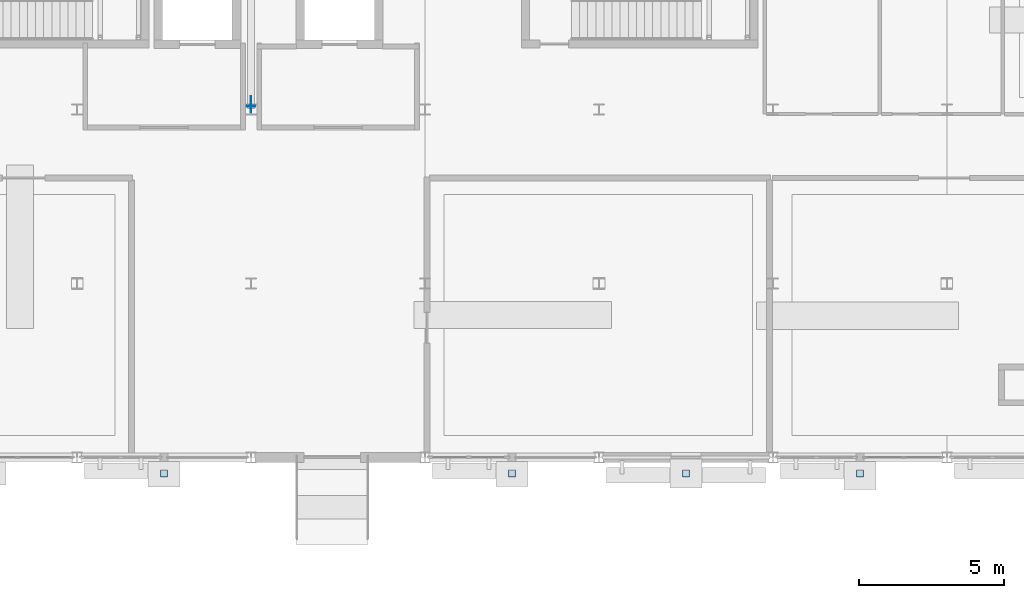
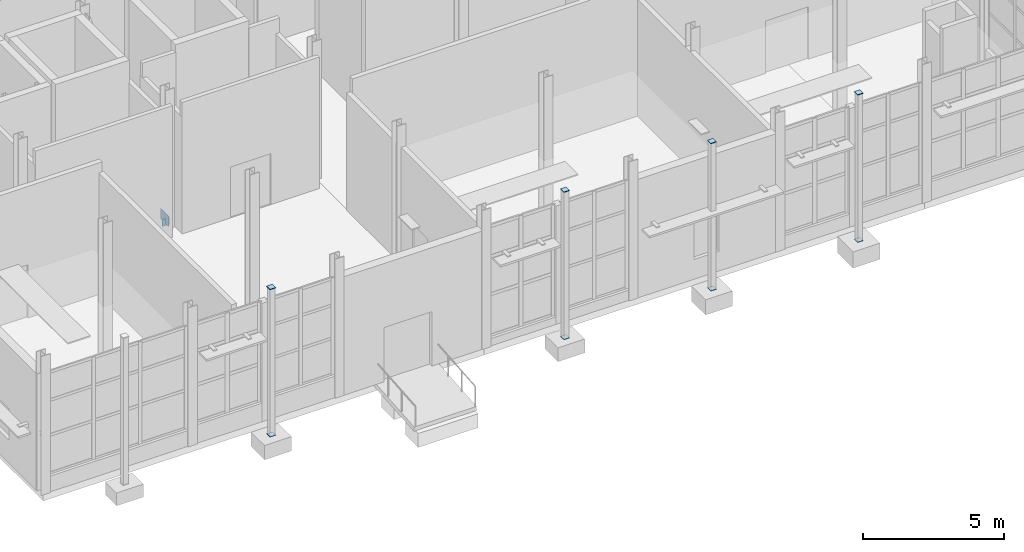
# One storey, part 90 of 120: 10 plates.
"""IFC4 building model written with IfcOpenShell, lengths in metres."""

import ifcopenshell
import ifcopenshell.guid

model = None  # the IFC model being written
_history = None  # IfcOwnerHistory: only IFC2X3 demands one
_inside = {}  # id of a spatial element -> (the spatial element, [elements in it])
_under = {}  # id of a project, library or spatial element -> (it, [spatial elements below it])
_declared = {}  # id of a project -> (the project, [libraries it declares])
_typed = {}  # id of a type object -> (the type object, [elements of that type])
_made_of = {}  # id of a material, layer set ... -> (it, [elements and type objects made of it])


def new_model(schema):
    """Start an empty IFC model of exactly this schema.

    Asked for "IFC4X3", IfcOpenShell would pick the latest addendum, in which some entities
    have other attributes; the version numbers below select the first issue.
    IFC2X3 requires an IfcOwnerHistory on every rooted entity: one is made here for all.
    """
    global model, _history
    if schema == "IFC4X3":
        model = ifcopenshell.file(schema_version=(4, 3, 0, 0))
    else:
        model = ifcopenshell.file(schema=schema)
    _inside.clear()
    _under.clear()
    _declared.clear()
    _typed.clear()
    _made_of.clear()
    _history = None
    if model.schema == "IFC2X3":
        org = make("IfcOrganization", Name="unknown")
        user = make(
            "IfcPersonAndOrganization",
            ThePerson=make("IfcPerson", FamilyName="unknown"),
            TheOrganization=org,
        )
        app = make(
            "IfcApplication",
            ApplicationDeveloper=org,
            Version="unknown",
            ApplicationFullName="unknown",
            ApplicationIdentifier="unknown",
        )
        _history = make(
            "IfcOwnerHistory",
            OwningUser=user,
            OwningApplication=app,
            ChangeAction="ADDED",
            CreationDate=0,
        )
    return model


def make(cls, **values):
    """One entity of the class cls with the attributes given. An attribute that is None is left unset."""
    return model.create_entity(
        cls, **{name: value for name, value in values.items() if value is not None}
    )


def rooted(cls, **values):
    """An entity with a GlobalId (a new one), such as an element, a storey or a relation."""
    return make(cls, GlobalId=ifcopenshell.guid.new(), OwnerHistory=_history, **values)


def si_unit(unit_type, name, prefix=None):
    """IfcSIUnit, for example si_unit("LENGTHUNIT", "METRE", prefix="MILLI")."""
    return make("IfcSIUnit", UnitType=unit_type, Prefix=prefix, Name=name)


def assignment(units):
    """IfcUnitAssignment: the units of a project."""
    return None if units is None else make("IfcUnitAssignment", Units=units)


def point(xyz):
    """IfcCartesianPoint."""
    return None if xyz is None else make("IfcCartesianPoint", Coordinates=xyz)


def direction(xyz):
    """IfcDirection."""
    return None if xyz is None else make("IfcDirection", DirectionRatios=xyz)


def frame(location, z_axis=None, x_axis=None):
    """IfcAxis2Placement3D, a coordinate frame: its origin and axes. An axis left out is left unset."""
    return make(
        "IfcAxis2Placement3D",
        Location=point(location),
        Axis=direction(z_axis),
        RefDirection=direction(x_axis),
    )


def frame_2d(location, x_axis=None):
    """IfcAxis2Placement2D, a coordinate frame in the plane: its origin and x axis."""
    return make(
        "IfcAxis2Placement2D", Location=point(location), RefDirection=direction(x_axis)
    )


def origin():
    """The frame at (0, 0, 0) with its axes left unset."""
    return frame((0.0, 0.0, 0.0))


def origin_2d():
    """The frame at (0, 0) in the plane with its x axis left unset."""
    return frame_2d((0.0, 0.0))


def place(relative_to, where):
    """IfcLocalPlacement: puts the frame where relative to a parent placement (None: the world)."""
    return make(
        "IfcLocalPlacement", PlacementRelTo=relative_to, RelativePlacement=where
    )


def context(
    kind, dimensions, precision=None, world=None, true_north=None, identifier=None
):
    """IfcGeometricRepresentationContext, for example the 3D "Model" context."""
    return make(
        "IfcGeometricRepresentationContext",
        ContextIdentifier=identifier,
        ContextType=kind,
        CoordinateSpaceDimension=dimensions,
        Precision=precision,
        WorldCoordinateSystem=world,
        TrueNorth=true_north,
    )


def subcontext(parent, identifier, kind, view, scale=None):
    """IfcGeometricRepresentationSubContext, for example "Body" below "Model"."""
    return make(
        "IfcGeometricRepresentationSubContext",
        ContextIdentifier=identifier,
        ContextType=kind,
        ParentContext=parent,
        TargetScale=scale,
        TargetView=view,
    )


def project(units=None, contexts=None):
    """IfcProject with its units and contexts."""
    return rooted(
        "IfcProject",
        Name="project",
        RepresentationContexts=contexts,
        UnitsInContext=assignment(units),
    )


def spatial(cls, under=None, at=None, **own):
    """A site, building, storey or space (cls), placed at a placement, below another one or the project."""
    s = rooted(cls, ObjectPlacement=at, **own)
    if under is not None:
        _under.setdefault(under.id(), (under, []))[1].append(s)
    return s


def profile(cls, at=None, kind="AREA", **sizes):
    """A parametric profile (cls). Its sizes go by their IFC names, for example OverallWidth=200.0."""
    return make(cls, ProfileType=kind, Position=at, **sizes)


def rectangle(**sizes):
    """IfcRectangleProfileDef."""
    return profile("IfcRectangleProfileDef", **sizes)


def extrude(swept, where, along, depth):
    """IfcExtrudedAreaSolid: the profile swept, set in the frame where, extruded along a direction by depth."""
    return make(
        "IfcExtrudedAreaSolid",
        SweptArea=swept,
        Position=where,
        ExtrudedDirection=direction(along),
        Depth=depth,
    )


def shape(context_of_items, identifier, shape_type, items):
    """IfcShapeRepresentation: the items that make up one representation, for example the "Body"."""
    return make(
        "IfcShapeRepresentation",
        ContextOfItems=context_of_items,
        RepresentationIdentifier=identifier,
        RepresentationType=shape_type,
        Items=items,
    )


def material(Name=None, Category=None):
    """IfcMaterial."""
    return make("IfcMaterial", Name=Name, Category=Category)


def layer(
    of_material, thickness, ventilated=None, Name=None, Category=None, Priority=None
):
    """IfcMaterialLayer: one layer of a wall or slab, of a material (None: an air gap)."""
    return make(
        "IfcMaterialLayer",
        Material=of_material,
        LayerThickness=thickness,
        IsVentilated=ventilated,
        Name=Name,
        Category=Category,
        Priority=Priority,
    )


def layer_set(layers, Name=None):
    """IfcMaterialLayerSet."""
    return make("IfcMaterialLayerSet", MaterialLayers=layers, LayerSetName=Name)


def made_of(thing, what):
    """Note that an element or type object is made of a material, layer set ...; save() writes the relation."""
    if what is not None:
        _made_of.setdefault(what.id(), (what, []))[1].append(thing)
    return thing


def type_object(cls, material=None, **own):
    """A type object (cls), such as IfcWallType, which elements share."""
    return made_of(rooted(cls, **own), material)


def element(
    cls,
    number,
    at=None,
    inside=None,
    cuts=None,
    type_object=None,
    material=None,
    context=None,
    identifier="Body",
    shape_type=None,
    held_by="IfcProductDefinitionShape",
    body=None,
    shapes=None,
    **own,
):
    """One element of the class cls, such as IfcWall. Its Tag is "e" and its number.

    at: its placement. inside: the storey or other place that contains it. cuts: it is an
    opening in that element (IfcRelVoidsElement). A single representation is given by context,
    identifier, shape_type and body (its items); several are given by shapes. held_by: the class
    of the entity that holds the representations. save() writes the other relations.
    """
    e = rooted(cls, Tag="e%d" % number, ObjectPlacement=at, **own)
    if body is not None:
        shapes = [shape(context, identifier, shape_type, body)]
    if shapes is not None:
        e.Representation = make(held_by, Representations=shapes)
    if inside is not None:
        _inside.setdefault(inside.id(), (inside, []))[1].append(e)
    if cuts is not None:
        rooted(
            "IfcRelVoidsElement", RelatingBuildingElement=cuts, RelatedOpeningElement=e
        )
    if type_object is not None:
        _typed.setdefault(type_object.id(), (type_object, []))[1].append(e)
    return made_of(e, material)


def aggregate(whole, parts):
    """IfcRelAggregates: a whole, such as a stair, and the parts it consists of."""
    return rooted("IfcRelAggregates", RelatingObject=whole, RelatedObjects=parts)


def save(model, path):
    """Write the relations noted so far, then the file.

    IfcRelAggregates (storeys below a building ...), IfcRelContainedInSpatialStructure (elements
    in a storey), IfcRelDefinesByType, IfcRelAssociatesMaterial and IfcRelDeclares: one each for
    every whole, place, type object, material and project.
    """
    for whole, parts in _under.values():
        aggregate(whole, parts)
    for where, things in _inside.values():
        rooted(
            "IfcRelContainedInSpatialStructure",
            RelatedElements=things,
            RelatingStructure=where,
        )
    for kind, things in _typed.values():
        rooted("IfcRelDefinesByType", RelatedObjects=things, RelatingType=kind)
    for what, things in _made_of.values():
        rooted("IfcRelAssociatesMaterial", RelatedObjects=things, RelatingMaterial=what)
    for by, libraries in _declared.values():
        rooted("IfcRelDeclares", RelatingContext=by, RelatedDefinitions=libraries)
    model.write(path)


model = new_model("IFC4")

# Units and contexts
model_context = context("Model", 3, precision=1e-05, world=origin(), true_north=direction((0.0, 1.0)))
body_context = subcontext(model_context, "Body", "Model", "MODEL_VIEW")
ifc_project = project(units=[si_unit("LENGTHUNIT", "METRE"), si_unit("AREAUNIT", "SQUARE_METRE"), si_unit("VOLUMEUNIT", "CUBIC_METRE"), si_unit("PLANEANGLEUNIT", "RADIAN"), si_unit("MASSUNIT", "GRAM", prefix="KILO")], contexts=[model_context])

# Site, building, storey
site_placement = place(None, origin())
site = spatial("IfcSite", under=ifc_project, at=site_placement, CompositionType="ELEMENT")
building_placement = place(site_placement, origin())
building = spatial("IfcBuilding", under=site, at=building_placement, Name="Siltcreek Boulevard Central Fire Station", CompositionType="ELEMENT")
storey_placement = place(building_placement, origin())
storey = spatial("IfcBuildingStorey", under=building, at=storey_placement, Name="L01", CompositionType="ELEMENT", Elevation=0.0)

# Plates
ifc_material = material(Name="Structural steel ASTM A572 Gr50", Category="steel")
ifc_layer_1 = layer(ifc_material, 0.02490234375, Name="Structural steel ASTM A572 Gr50")
ifc_layer_set_1 = layer_set([ifc_layer_1], Name="Structural steel ASTM A572 Gr50")
plate_type_1 = type_object("IfcPlateType", Name="PL_CAP25", PredefinedType="USERDEFINED", material=ifc_layer_set_1)
for number, where, z_axis, x_axis, name in (
    (1, (133.199951171875, 87.64990234375, -0.373046875), (0.0, 0.0, 1.0), (1.0, 0.0, 0.0), "Terracotta pier pilaster column PL-17 sealed end cap 1"),
    (2, (133.199951171875, 87.64990234375, 5.998046875), (0.0, 0.0, 1.0), (1.0, 0.0, 0.0), "Terracotta pier pilaster column PL-17 sealed end cap 2"),
    (3, (145.199951171875, 87.64990234375, -0.373046875), (0.0, 0.0, 1.0), (1.0, 0.0, 0.0), "Terracotta pier pilaster column PL-18 sealed end cap 1"),
    (4, (145.199951171875, 87.64990234375, 5.998046875), (0.0, 0.0, 1.0), (1.0, 0.0, 0.0), "Terracotta pier pilaster column PL-18 sealed end cap 2"),
    (5, (151.199951171875, 87.64990234375, -0.373046875), (0.0, 0.0, 1.0), (1.0, 0.0, 0.0), "Terracotta pier pilaster column PL-19 sealed end cap 1"),
    (6, (151.199951171875, 87.64990234375, 5.998046875), (0.0, 0.0, 1.0), (1.0, 0.0, 0.0), "Terracotta pier pilaster column PL-19 sealed end cap 2"),
    (7, (157.199951171875, 87.64990234375, -0.373046875), (0.0, 0.0, 1.0), (1.0, 0.0, 0.0), "Terracotta pier pilaster column PL-20 sealed end cap 1"),
    (8, (157.199951171875, 87.64990234375, 5.998046875), (0.0, 0.0, 1.0), (1.0, 0.0, 0.0), "Terracotta pier pilaster column PL-20 sealed end cap 2"),
):
    element("IfcPlate", number, at=place(storey_placement, frame(where, z_axis=z_axis, x_axis=x_axis)), inside=storey, type_object=plate_type_1, Name=name, ObjectType="END CAP", PredefinedType="USERDEFINED", context=body_context, shape_type="SweptSolid", body=[
        extrude(rectangle(XDim=0.239990234375, YDim=0.239990234375, at=origin_2d()), origin(), (0.0, 0.0, 1.0), 0.02490234375),
    ])
plate_1_placement = place(storey_placement, frame((136.199951171875, 100.3125, -0.05224609375), z_axis=(0.0, 0.0, 1.0), x_axis=(0.0, 1.0, 0.0)))
element("IfcPlate", 9, at=plate_1_placement, inside=storey, type_object=plate_type_1, Name="L01 buckling-restrained brace BR-032 sealed end cap 1", ObjectType="END CAP", PredefinedType="USERDEFINED", context=body_context, shape_type="SweptSolid", body=[
    extrude(rectangle(XDim=0.02490234375, YDim=0.2900390625, at=origin_2d()), origin(), (0.0, 0.0, 1.0), 0.2900390625),
])
ifc_layer_2 = layer(ifc_material, 0.02197265625, Name="Structural steel ASTM A572 Gr50")
ifc_layer_set_2 = layer_set([ifc_layer_2], Name="Structural steel ASTM A572 Gr50")
plate_type_2 = type_object("IfcPlateType", Name="PL_GUS22", PredefinedType="USERDEFINED", material=ifc_layer_set_2)
plate_2_placement = place(storey_placement, frame((136.199951171875, 100.3798828125, 0.030029296875), z_axis=(0.0, 0.0, 1.0), x_axis=(0.0, 1.0, 0.0)))
element("IfcPlate", 10, at=plate_2_placement, inside=storey, type_object=plate_type_2, Name="Seismic brace bot gusset plate GP-097", ObjectType="GUSSET PLATE", PredefinedType="USERDEFINED", context=body_context, shape_type="SweptSolid", body=[
    extrude(rectangle(XDim=0.56005859375, YDim=0.02197265625, at=origin_2d()), origin(), (0.0, 0.0, 1.0), 0.43994140625),
])

save(model, "model.ifc")
